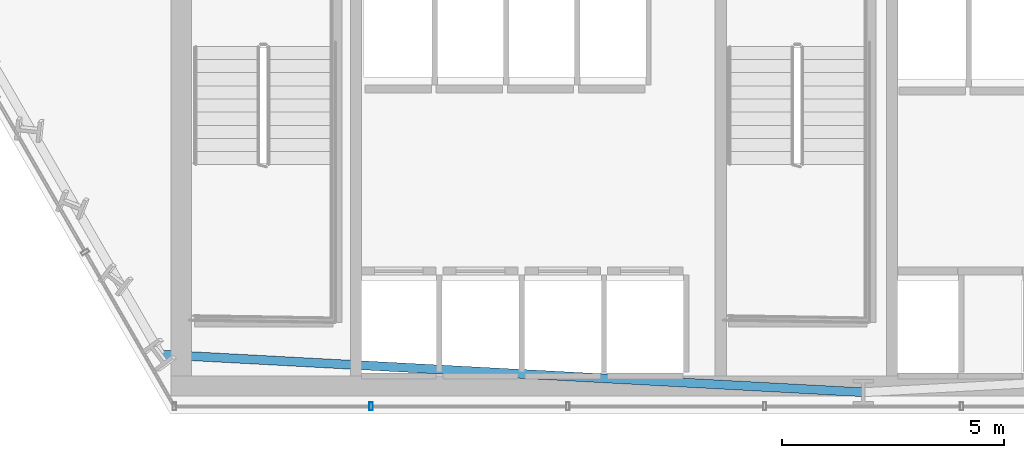
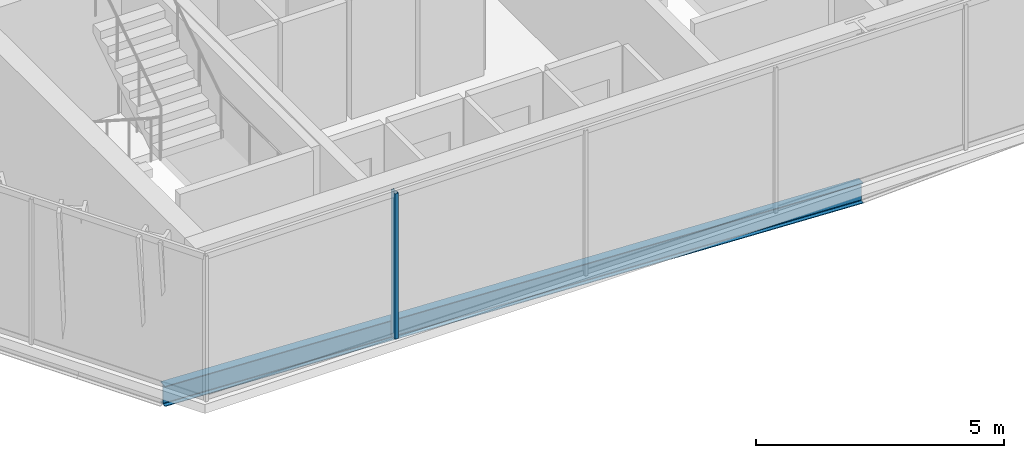
# One storey, part 3 of 32: 1 beam, 1 member, 1 element without a shape of its own.
"""IFC4 building model written with IfcOpenShell, lengths in metres."""

from ifc_helpers import new_model, si_unit, direction, frame, origin, origin_2d, place, context, subcontext, project, spatial, hollow_rectangle, i_section, extrude, material, layer, layer_set, material_profile, profile_set, type_object, element, aggregate, save


model = new_model("IFC4")

# Units and contexts
model_context = context("Model", 3, precision=1e-05, world=origin(), true_north=direction((0.0, 1.0)))
body_context = subcontext(model_context, "Body", "Model", "MODEL_VIEW")
ifc_project = project(units=[si_unit("LENGTHUNIT", "METRE"), si_unit("AREAUNIT", "SQUARE_METRE"), si_unit("VOLUMEUNIT", "CUBIC_METRE"), si_unit("PLANEANGLEUNIT", "RADIAN"), si_unit("MASSUNIT", "GRAM", prefix="KILO")], contexts=[model_context])

# Site, building, storey
site_placement = place(None, origin())
site = spatial("IfcSite", under=ifc_project, at=site_placement, CompositionType="ELEMENT")
building_placement = place(site_placement, origin())
building = spatial("IfcBuilding", under=site, at=building_placement, Name="Ndaravel Arena Tower", CompositionType="ELEMENT")
storey_placement = place(building_placement, frame((0.0, 0.0, 55.0)))
storey = spatial("IfcBuildingStorey", under=building, at=storey_placement, Name="L11", CompositionType="ELEMENT", Elevation=55.0)

# Beam
ifc_material_1 = material(Name="Steel S355", Category="steel")
ifc_material_profile_1 = material_profile(ifc_material_1, i_section(OverallWidth=0.199951171875, OverallDepth=0.5, WebThickness=0.01025390625, FlangeThickness=0.01611328125, FilletRadius=0.02099609375, at=origin_2d()), Name="IPE 500")
ifc_profile_set_1 = profile_set([ifc_material_profile_1], Name="Steel S355")
beam_type = type_object("IfcBeamType", Name="BM-SPAN-IPE500", PredefinedType="SPANDREL", material=ifc_profile_set_1)
beam_placement = place(storey_placement, frame((26.215576171875, 6.327392578125, -0.469970703125), z_axis=(0.998561982084, -0.053609401572, 0.0), x_axis=(0.053609401572, 0.998561982084, 0.0)))
element("IfcBeam", 1, at=beam_placement, inside=storey, type_object=beam_type, Name="L11 Perimeter Spandrel Beam SP-27", PredefinedType="SPANDREL", context=body_context, shape_type="SweptSolid", body=[
    extrude(i_section(OverallWidth=0.199951171875, OverallDepth=0.5, WebThickness=0.01025390625, FlangeThickness=0.01611328125, FilletRadius=0.02099609375, at=origin_2d()), origin(), (0.0, 0.0, 1.0), 15.80712890625),
])

# Curtain wall, member
ifc_material_2 = material(Name="Aluminium", Category="aluminium")
ifc_layer = layer(ifc_material_2, 0.179931640625)
ifc_layer_set = layer_set([ifc_layer], Name="Aluminium")
curtain_wall_type = type_object("IfcCurtainWallType", Name="CW-SYS-03", PredefinedType="NOTDEFINED", material=ifc_layer_set)
curtain_wall_placement = place(storey_placement, origin())
curtain_wall = element("IfcCurtainWall", 2, at=curtain_wall_placement, inside=storey, type_object=curtain_wall_type, Name="L11 Faceted Crystal Curtain Wall CW-L11-E01", PredefinedType="NOTDEFINED")
ifc_material_3 = material(Name="Aluminium", Category="aluminium")
ifc_material_profile_2 = material_profile(ifc_material_3, hollow_rectangle(XDim=0.074951171875, YDim=0.179931640625, WallThickness=0.00390625, at=origin_2d()), Name="CW MULLION 75x180x4")
ifc_profile_set_2 = profile_set([ifc_material_profile_2], Name="Aluminium")
member_type = type_object("IfcMemberType", Name="MEM-CW-MUL180", PredefinedType="MULLION", material=ifc_profile_set_2)
member_placement = place(storey_placement, frame((30.94287109375, 5.159912109375, 0.0), z_axis=(0.0, 0.0, 1.0), x_axis=(1.0, 0.0, 0.0)))
member = element("IfcMember", 3, at=member_placement, type_object=member_type, Name="CW-L11-E01 Mullion 01", PredefinedType="MULLION", context=body_context, shape_type="SweptSolid", body=[
    extrude(hollow_rectangle(XDim=0.074951171875, YDim=0.179931640625, WallThickness=0.00390625, at=origin_2d()), origin(), (0.0, 0.0, 1.0), 3.580078125),
])
aggregate(curtain_wall, [member])

save(model, "model.ifc")
